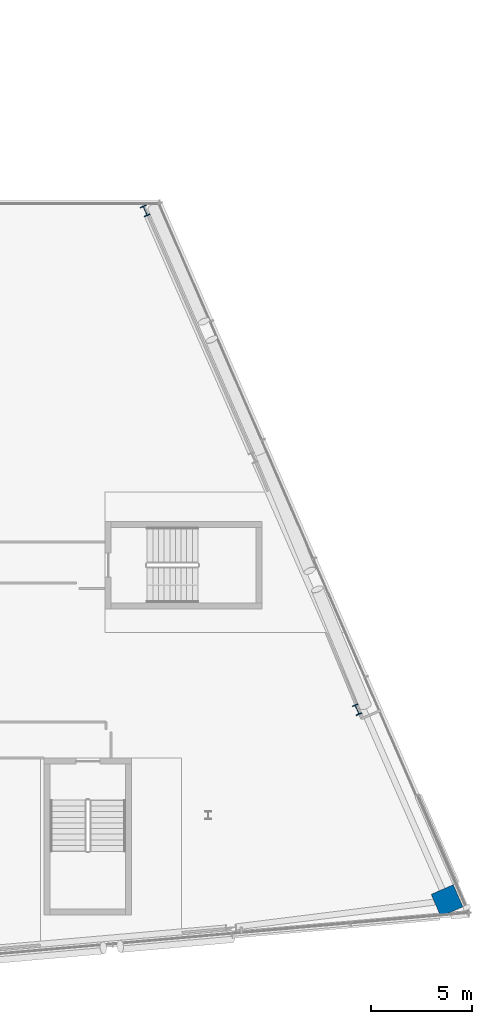
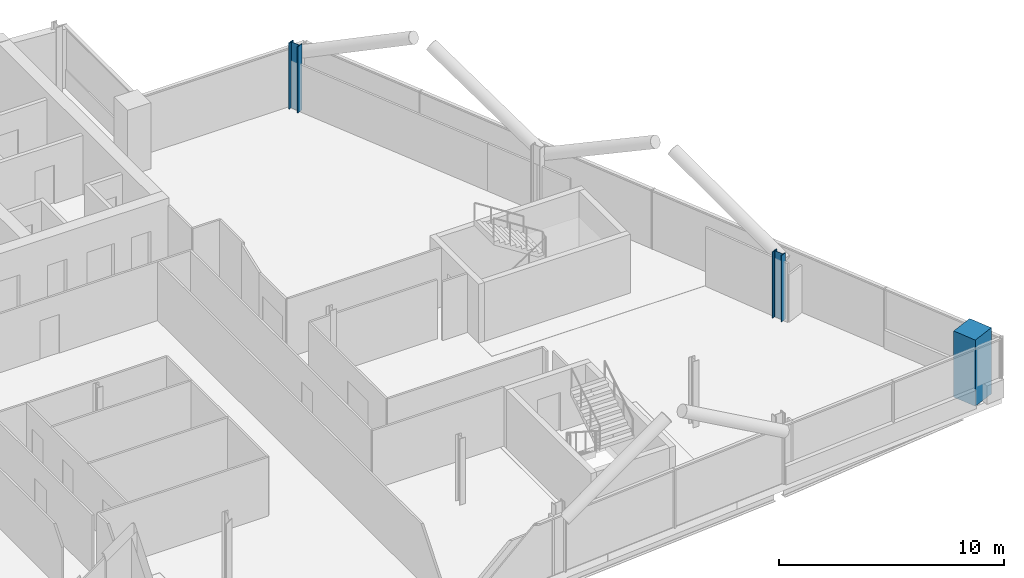
# One storey, part 4 of 25: 3 columns.
"""IFC4 building model written with IfcOpenShell, lengths in metres."""

import ifcopenshell
import ifcopenshell.guid

model = None  # the IFC model being written
_history = None  # IfcOwnerHistory: only IFC2X3 demands one
_inside = {}  # id of a spatial element -> (the spatial element, [elements in it])
_under = {}  # id of a project, library or spatial element -> (it, [spatial elements below it])
_declared = {}  # id of a project -> (the project, [libraries it declares])
_typed = {}  # id of a type object -> (the type object, [elements of that type])
_made_of = {}  # id of a material, layer set ... -> (it, [elements and type objects made of it])


def new_model(schema):
    """Start an empty IFC model of exactly this schema.

    Asked for "IFC4X3", IfcOpenShell would pick the latest addendum, in which some entities
    have other attributes; the version numbers below select the first issue.
    IFC2X3 requires an IfcOwnerHistory on every rooted entity: one is made here for all.
    """
    global model, _history
    if schema == "IFC4X3":
        model = ifcopenshell.file(schema_version=(4, 3, 0, 0))
    else:
        model = ifcopenshell.file(schema=schema)
    _inside.clear()
    _under.clear()
    _declared.clear()
    _typed.clear()
    _made_of.clear()
    _history = None
    if model.schema == "IFC2X3":
        org = make("IfcOrganization", Name="unknown")
        user = make(
            "IfcPersonAndOrganization",
            ThePerson=make("IfcPerson", FamilyName="unknown"),
            TheOrganization=org,
        )
        app = make(
            "IfcApplication",
            ApplicationDeveloper=org,
            Version="unknown",
            ApplicationFullName="unknown",
            ApplicationIdentifier="unknown",
        )
        _history = make(
            "IfcOwnerHistory",
            OwningUser=user,
            OwningApplication=app,
            ChangeAction="ADDED",
            CreationDate=0,
        )
    return model


def make(cls, **values):
    """One entity of the class cls with the attributes given. An attribute that is None is left unset."""
    return model.create_entity(
        cls, **{name: value for name, value in values.items() if value is not None}
    )


def rooted(cls, **values):
    """An entity with a GlobalId (a new one), such as an element, a storey or a relation."""
    return make(cls, GlobalId=ifcopenshell.guid.new(), OwnerHistory=_history, **values)


def si_unit(unit_type, name, prefix=None):
    """IfcSIUnit, for example si_unit("LENGTHUNIT", "METRE", prefix="MILLI")."""
    return make("IfcSIUnit", UnitType=unit_type, Prefix=prefix, Name=name)


def assignment(units):
    """IfcUnitAssignment: the units of a project."""
    return None if units is None else make("IfcUnitAssignment", Units=units)


def point(xyz):
    """IfcCartesianPoint."""
    return None if xyz is None else make("IfcCartesianPoint", Coordinates=xyz)


def direction(xyz):
    """IfcDirection."""
    return None if xyz is None else make("IfcDirection", DirectionRatios=xyz)


def frame(location, z_axis=None, x_axis=None):
    """IfcAxis2Placement3D, a coordinate frame: its origin and axes. An axis left out is left unset."""
    return make(
        "IfcAxis2Placement3D",
        Location=point(location),
        Axis=direction(z_axis),
        RefDirection=direction(x_axis),
    )


def frame_2d(location, x_axis=None):
    """IfcAxis2Placement2D, a coordinate frame in the plane: its origin and x axis."""
    return make(
        "IfcAxis2Placement2D", Location=point(location), RefDirection=direction(x_axis)
    )


def origin():
    """The frame at (0, 0, 0) with its axes left unset."""
    return frame((0.0, 0.0, 0.0))


def origin_2d():
    """The frame at (0, 0) in the plane with its x axis left unset."""
    return frame_2d((0.0, 0.0))


def place(relative_to, where):
    """IfcLocalPlacement: puts the frame where relative to a parent placement (None: the world)."""
    return make(
        "IfcLocalPlacement", PlacementRelTo=relative_to, RelativePlacement=where
    )


def context(
    kind, dimensions, precision=None, world=None, true_north=None, identifier=None
):
    """IfcGeometricRepresentationContext, for example the 3D "Model" context."""
    return make(
        "IfcGeometricRepresentationContext",
        ContextIdentifier=identifier,
        ContextType=kind,
        CoordinateSpaceDimension=dimensions,
        Precision=precision,
        WorldCoordinateSystem=world,
        TrueNorth=true_north,
    )


def subcontext(parent, identifier, kind, view, scale=None):
    """IfcGeometricRepresentationSubContext, for example "Body" below "Model"."""
    return make(
        "IfcGeometricRepresentationSubContext",
        ContextIdentifier=identifier,
        ContextType=kind,
        ParentContext=parent,
        TargetScale=scale,
        TargetView=view,
    )


def project(units=None, contexts=None):
    """IfcProject with its units and contexts."""
    return rooted(
        "IfcProject",
        Name="project",
        RepresentationContexts=contexts,
        UnitsInContext=assignment(units),
    )


def spatial(cls, under=None, at=None, **own):
    """A site, building, storey or space (cls), placed at a placement, below another one or the project."""
    s = rooted(cls, ObjectPlacement=at, **own)
    if under is not None:
        _under.setdefault(under.id(), (under, []))[1].append(s)
    return s


def profile(cls, at=None, kind="AREA", **sizes):
    """A parametric profile (cls). Its sizes go by their IFC names, for example OverallWidth=200.0."""
    return make(cls, ProfileType=kind, Position=at, **sizes)


def rectangle(**sizes):
    """IfcRectangleProfileDef."""
    return profile("IfcRectangleProfileDef", **sizes)


def i_section(**sizes):
    """IfcIShapeProfileDef."""
    return profile("IfcIShapeProfileDef", **sizes)


def extrude(swept, where, along, depth):
    """IfcExtrudedAreaSolid: the profile swept, set in the frame where, extruded along a direction by depth."""
    return make(
        "IfcExtrudedAreaSolid",
        SweptArea=swept,
        Position=where,
        ExtrudedDirection=direction(along),
        Depth=depth,
    )


def shape(context_of_items, identifier, shape_type, items):
    """IfcShapeRepresentation: the items that make up one representation, for example the "Body"."""
    return make(
        "IfcShapeRepresentation",
        ContextOfItems=context_of_items,
        RepresentationIdentifier=identifier,
        RepresentationType=shape_type,
        Items=items,
    )


def material(Name=None, Category=None):
    """IfcMaterial."""
    return make("IfcMaterial", Name=Name, Category=Category)


def material_profile(
    of_material, cross_section, Name=None, Category=None, Priority=None
):
    """IfcMaterialProfile: a cross section and its material."""
    return make(
        "IfcMaterialProfile",
        Name=Name,
        Material=of_material,
        Profile=cross_section,
        Priority=Priority,
        Category=Category,
    )


def profile_set(profiles, Name=None, composite=None):
    """IfcMaterialProfileSet."""
    return make(
        "IfcMaterialProfileSet",
        Name=Name,
        MaterialProfiles=profiles,
        CompositeProfile=composite,
    )


def made_of(thing, what):
    """Note that an element or type object is made of a material, layer set ...; save() writes the relation."""
    if what is not None:
        _made_of.setdefault(what.id(), (what, []))[1].append(thing)
    return thing


def type_object(cls, material=None, **own):
    """A type object (cls), such as IfcWallType, which elements share."""
    return made_of(rooted(cls, **own), material)


def element(
    cls,
    number,
    at=None,
    inside=None,
    cuts=None,
    type_object=None,
    material=None,
    context=None,
    identifier="Body",
    shape_type=None,
    held_by="IfcProductDefinitionShape",
    body=None,
    shapes=None,
    **own,
):
    """One element of the class cls, such as IfcWall. Its Tag is "e" and its number.

    at: its placement. inside: the storey or other place that contains it. cuts: it is an
    opening in that element (IfcRelVoidsElement). A single representation is given by context,
    identifier, shape_type and body (its items); several are given by shapes. held_by: the class
    of the entity that holds the representations. save() writes the other relations.
    """
    e = rooted(cls, Tag="e%d" % number, ObjectPlacement=at, **own)
    if body is not None:
        shapes = [shape(context, identifier, shape_type, body)]
    if shapes is not None:
        e.Representation = make(held_by, Representations=shapes)
    if inside is not None:
        _inside.setdefault(inside.id(), (inside, []))[1].append(e)
    if cuts is not None:
        rooted(
            "IfcRelVoidsElement", RelatingBuildingElement=cuts, RelatedOpeningElement=e
        )
    if type_object is not None:
        _typed.setdefault(type_object.id(), (type_object, []))[1].append(e)
    return made_of(e, material)


def aggregate(whole, parts):
    """IfcRelAggregates: a whole, such as a stair, and the parts it consists of."""
    return rooted("IfcRelAggregates", RelatingObject=whole, RelatedObjects=parts)


def save(model, path):
    """Write the relations noted so far, then the file.

    IfcRelAggregates (storeys below a building ...), IfcRelContainedInSpatialStructure (elements
    in a storey), IfcRelDefinesByType, IfcRelAssociatesMaterial and IfcRelDeclares: one each for
    every whole, place, type object, material and project.
    """
    for whole, parts in _under.values():
        aggregate(whole, parts)
    for where, things in _inside.values():
        rooted(
            "IfcRelContainedInSpatialStructure",
            RelatedElements=things,
            RelatingStructure=where,
        )
    for kind, things in _typed.values():
        rooted("IfcRelDefinesByType", RelatedObjects=things, RelatingType=kind)
    for what, things in _made_of.values():
        rooted("IfcRelAssociatesMaterial", RelatedObjects=things, RelatingMaterial=what)
    for by, libraries in _declared.values():
        rooted("IfcRelDeclares", RelatingContext=by, RelatedDefinitions=libraries)
    model.write(path)


model = new_model("IFC4")

# Units and contexts
model_context = context("Model", 3, precision=1e-05, world=origin(), true_north=direction((0.0, 1.0)))
body_context = subcontext(model_context, "Body", "Model", "MODEL_VIEW")
ifc_project = project(units=[si_unit("LENGTHUNIT", "METRE"), si_unit("AREAUNIT", "SQUARE_METRE"), si_unit("VOLUMEUNIT", "CUBIC_METRE"), si_unit("PLANEANGLEUNIT", "RADIAN"), si_unit("MASSUNIT", "GRAM", prefix="KILO")], contexts=[model_context])

# Site, building, storey
site_placement = place(None, origin())
site = spatial("IfcSite", under=ifc_project, at=site_placement, CompositionType="ELEMENT")
building_placement = place(site_placement, origin())
building = spatial("IfcBuilding", under=site, at=building_placement, Name="Wharfspan Tower", CompositionType="ELEMENT")
storey_placement = place(building_placement, frame((0.0, 0.0, 232.300049)))
storey = spatial("IfcBuildingStorey", under=building, at=storey_placement, Name="L58", CompositionType="ELEMENT", Elevation=232.300049)

# Columns
ifc_material_1 = material(Name="Steel S355J2", Category="steel")
ifc_material_profile_1 = material_profile(ifc_material_1, i_section(OverallWidth=0.305908, OverallDepth=0.523926, WebThickness=0.020996, FlangeThickness=0.040039, FilletRadius=0.0271, at=origin_2d()))
ifc_profile_set_1 = profile_set([ifc_material_profile_1], Name="Steel S355J2")
column_type_1 = type_object("IfcColumnType", Name="Column HEM 500", PredefinedType="COLUMN", material=ifc_profile_set_1)
for number, where, z_axis, x_axis, name in (
    (1, (79.409668, 16.761719, 0.0), (0.0, 0.0, 1.0), (0.917072, 0.398727, 0.0), "Perimeter column PE.1 L58"),
    (2, (68.867188, 41.572266, 0.0), (0.0, 0.0, 1.0), (0.917072, 0.398727, 0.0), "Perimeter column PE.3 L58"),
):
    element("IfcColumn", number, at=place(storey_placement, frame(where, z_axis=z_axis, x_axis=x_axis)), inside=storey, type_object=column_type_1, Name=name, PredefinedType="COLUMN", context=body_context, shape_type="SweptSolid", body=[
        extrude(i_section(OverallWidth=0.305908, OverallDepth=0.523926, WebThickness=0.020996, FlangeThickness=0.040039, FilletRadius=0.0271, at=origin_2d()), origin(), (0.0, 0.0, 1.0), 3.599854),
    ])
ifc_material_2 = material(Name="Concrete C50/60", Category="concrete")
ifc_material_profile_2 = material_profile(ifc_material_2, rectangle(XDim=1.199951, YDim=1.199951, at=origin_2d()))
ifc_profile_set_2 = profile_set([ifc_material_profile_2], Name="Concrete C50/60")
column_type_2 = type_object("IfcColumnType", Name="Mega column 1200 C50/60", PredefinedType="COLUMN", material=ifc_profile_set_2)
column_placement = place(storey_placement, frame((83.882812, 7.264648, 0.0), z_axis=(0.0, 0.0, 1.0), x_axis=(-0.398727, 0.917072, 0.0)))
element("IfcColumn", 3, at=column_placement, inside=storey, type_object=column_type_2, Name="Mega column MC4 L58", PredefinedType="COLUMN", context=body_context, shape_type="SweptSolid", body=[
    extrude(rectangle(XDim=1.199951, YDim=1.199951, at=origin_2d()), origin(), (0.0, 0.0, 1.0), 3.599854),
])

save(model, "model.ifc")
